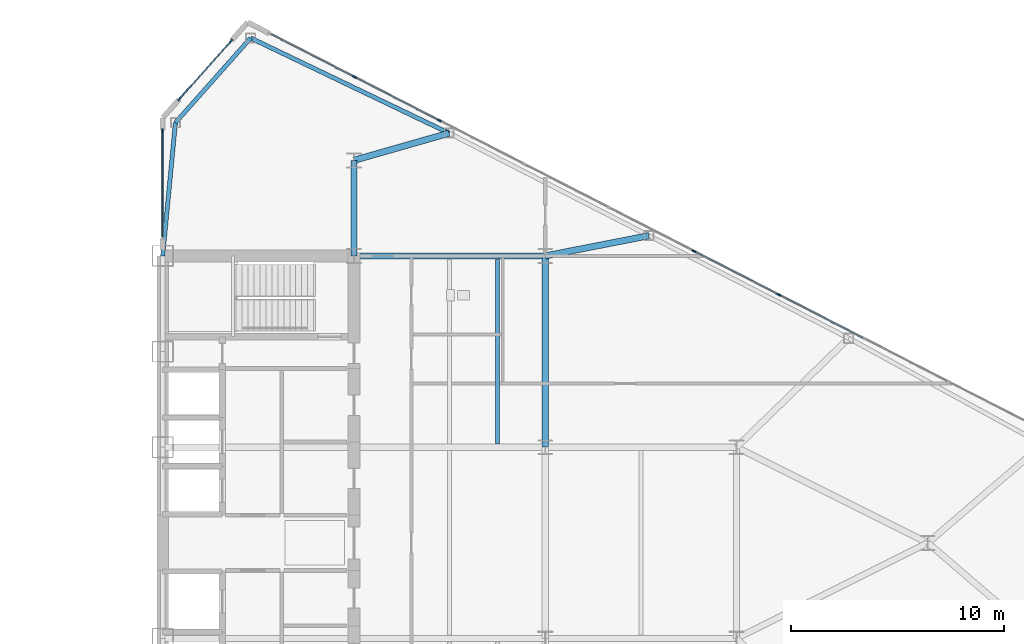
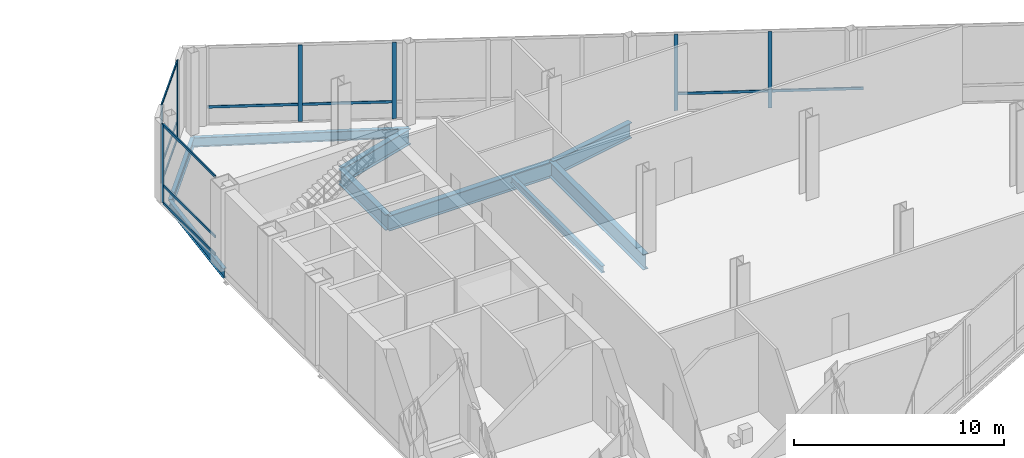
# One storey, part 11 of 22: 17 members, 9 beams, 3 elements without a shape of their own.
"""IFC4 building model written with IfcOpenShell, lengths in metres."""

from ifc_helpers import new_model, si_unit, direction, frame, origin, origin_2d, place, context, subcontext, project, spatial, rectangle, i_section, extrude, source, transform, mapped, material, layer, layer_set, material_profile, profile_set, type_object, type_shapes, element, aggregate, save


model = new_model("IFC4")

# Units and contexts
model_context = context("Model", 3, precision=1e-05, world=origin(), true_north=direction((0.0, 1.0)))
body_context = subcontext(model_context, "Body", "Model", "MODEL_VIEW")
ifc_project = project(units=[si_unit("LENGTHUNIT", "METRE"), si_unit("AREAUNIT", "SQUARE_METRE"), si_unit("VOLUMEUNIT", "CUBIC_METRE"), si_unit("PLANEANGLEUNIT", "RADIAN"), si_unit("MASSUNIT", "GRAM", prefix="KILO")], contexts=[model_context])

# Site, building, storey
site_placement = place(None, origin())
site = spatial("IfcSite", under=ifc_project, at=site_placement, CompositionType="ELEMENT")
building_placement = place(site_placement, origin())
building = spatial("IfcBuilding", under=site, at=building_placement, Name="Seokmaru Belvedere", CompositionType="ELEMENT")
storey_placement = place(building_placement, frame((0.0, 0.0, 135.60009765625)))
storey = spatial("IfcBuildingStorey", under=building, at=storey_placement, Name="L36", CompositionType="ELEMENT", Elevation=135.60009765625)

# Beams
ifc_material_1 = material(Name="Steel SM355 (355 MPa)", Category="steel")
ifc_material_profile_1 = material_profile(ifc_material_1, i_section(OverallWidth=0.300048828125, OverallDepth=0.89990234375, WebThickness=0.01611328125, FlangeThickness=0.028076171875, at=origin_2d()), Name="H-900x300x16x28")
ifc_profile_set_1 = profile_set([ifc_material_profile_1], Name="Steel SM355 (355 MPa)")
beam_type_1 = type_object("IfcBeamType", Name="Refuge Floor Girder H-900", PredefinedType="BEAM", material=ifc_profile_set_1)
shared_shape_1 = source(origin(), body_context, "Body", "SweptSolid", [
    extrude(i_section(OverallWidth=0.300048828125, OverallDepth=0.89990234375, WebThickness=0.01611328125, FlangeThickness=0.028076171875, at=origin_2d()), origin(), (0.0, 0.0, 1.0), 4.5),
])
beam_1_placement = place(storey_placement, frame((36.5, 13.5, -0.710205078125), z_axis=(0.0, 1.0, 0.0), x_axis=(-1.0, 0.0, 0.0)))
element("IfcBeam", 1, at=beam_1_placement, inside=storey, type_object=beam_type_1, Name="L36 E Core Shoulder Girder N", PredefinedType="BEAM", context=body_context, shape_type="MappedRepresentation", body=[
    mapped(shared_shape_1, transform((0.0, 0.0, 0.0), scale=1.0)),
])
shared_shape_2 = source(origin(), body_context, "Body", "SweptSolid", [
    extrude(i_section(OverallWidth=0.300048828125, OverallDepth=0.89990234375, WebThickness=0.01611328125, FlangeThickness=0.028076171875, at=origin_2d()), origin(), (0.0, 0.0, 1.0), 9.0),
])
for number, where, z_axis, x_axis, name in (
    (2, (45.5, 4.5, -0.710205078125), (0.0, 1.0, 0.0), (-1.0, 0.0, 0.0), "L36 E Interior Grid Girder 3"),
    (3, (36.5, 13.5, -0.710205078125), (1.0, 0.0, 0.0), (0.0, 1.0, 0.0), "L36 E Wing Primary Girder 4"),
):
    element("IfcBeam", number, at=place(storey_placement, frame(where, z_axis=z_axis, x_axis=x_axis)), inside=storey, type_object=beam_type_1, Name=name, PredefinedType="BEAM", context=body_context, shape_type="MappedRepresentation", body=[
        mapped(shared_shape_2, transform((0.0, 0.0, 0.0), scale=1.0)),
    ])
ifc_material_profile_2 = material_profile(ifc_material_1, i_section(OverallWidth=0.199951171875, OverallDepth=0.39990234375, WebThickness=0.008056640625, FlangeThickness=0.012939453125, at=origin_2d()), Name="H-400x200x8x13")
ifc_profile_set_2 = profile_set([ifc_material_profile_2], Name="Steel SM355 (355 MPa)")
beam_type_2 = type_object("IfcBeamType", Name="Secondary Floor Joist H-400", PredefinedType="JOIST", material=ifc_profile_set_2)
shared_shape_3 = source(origin(), body_context, "Body", "SweptSolid", [
    extrude(i_section(OverallWidth=0.199951171875, OverallDepth=0.39990234375, WebThickness=0.008056640625, FlangeThickness=0.012939453125, at=origin_2d()), origin(), (0.0, 0.0, 1.0), 8.68994140625),
])
type_shapes(beam_type_2, [shared_shape_3])
beam_2_placement = place(storey_placement, frame((43.25, 4.655029296875, -0.460205078125), z_axis=(0.0, 1.0, 0.0), x_axis=(-1.0, 0.0, 0.0)))
element("IfcBeam", 4, at=beam_2_placement, inside=storey, type_object=beam_type_2, Name="L36 E Wing Inner Secondary Joist 2", PredefinedType="JOIST", context=body_context, shape_type="MappedRepresentation", body=[
    mapped(shared_shape_3, transform((0.0, 0.0, 0.0), scale=1.0)),
])
ifc_material_profile_3 = material_profile(ifc_material_1, i_section(OverallWidth=0.199951171875, OverallDepth=0.550048828125, WebThickness=0.010009765625, FlangeThickness=0.01611328125, at=origin_2d()), Name="H-550x200x10x16")
ifc_profile_set_3 = profile_set([ifc_material_profile_3], Name="Steel SM355 (355 MPa)")
beam_type_3 = type_object("IfcBeamType", Name="Sky-Lobby Spandrel Beam H-550", PredefinedType="SPANDREL", material=ifc_profile_set_3)
shared_shape_4 = source(origin(), body_context, "Body", "SweptSolid", [
    extrude(i_section(OverallWidth=0.199951171875, OverallDepth=0.550048828125, WebThickness=0.010009765625, FlangeThickness=0.01611328125, at=origin_2d()), origin(), (0.0, 0.0, 1.0), 10.353759765625),
])
beam_3_placement = place(storey_placement, frame((31.6396484375, 23.75390625, -0.53515625), z_axis=(0.901713202822, -0.432334708134, 0.0), x_axis=(0.432334708134, 0.901713202822, 0.0)))
element("IfcBeam", 5, at=beam_3_placement, inside=storey, type_object=beam_type_3, Name="L36 E Faceted Flank Spandrel N-1", PredefinedType="SPANDREL", context=body_context, shape_type="MappedRepresentation", body=[
    mapped(shared_shape_4, transform((0.0, 0.0, 0.0), scale=1.0)),
])
shared_shape_5 = source(origin(), body_context, "Body", "SweptSolid", [
    extrude(i_section(OverallWidth=0.199951171875, OverallDepth=0.550048828125, WebThickness=0.010009765625, FlangeThickness=0.01611328125, at=origin_2d()), origin(), (0.0, 0.0, 1.0), 5.32763671875),
])
beam_4_placement = place(storey_placement, frame((31.6396484375, 23.75390625, -0.53515625), z_axis=(-0.66436952742, -0.74740426212, 0.0), x_axis=(0.74740426212, -0.66436952742, 0.0)))
element("IfcBeam", 6, at=beam_4_placement, inside=storey, type_object=beam_type_3, Name="L36 E Shoulder Chamfer Spandrel N", PredefinedType="SPANDREL", context=body_context, shape_type="MappedRepresentation", body=[
    mapped(shared_shape_5, transform((0.0, 0.0, 0.0), scale=1.0)),
])
shared_shape_6 = source(origin(), body_context, "Body", "SweptSolid", [
    extrude(i_section(OverallWidth=0.199951171875, OverallDepth=0.550048828125, WebThickness=0.010009765625, FlangeThickness=0.01611328125, at=origin_2d()), origin(), (0.0, 0.0, 1.0), 6.300537109375),
])
type_shapes(beam_type_3, [shared_shape_4, shared_shape_5, shared_shape_6])
beam_5_placement = place(storey_placement, frame((28.10009765625, 19.77197265625, -0.53515625), z_axis=(-0.095244287992, -0.995453929424, 0.0), x_axis=(0.995453929424, -0.095244287992, 0.0)))
element("IfcBeam", 7, at=beam_5_placement, inside=storey, type_object=beam_type_3, Name="L36 E Shoulder Spine Spandrel N", PredefinedType="SPANDREL", context=body_context, shape_type="MappedRepresentation", body=[
    mapped(shared_shape_6, transform((0.0, 0.0, 0.0), scale=1.0)),
])
shared_shape_7 = source(origin(), body_context, "Body", "SweptSolid", [
    extrude(i_section(OverallWidth=0.300048828125, OverallDepth=0.89990234375, WebThickness=0.01611328125, FlangeThickness=0.028076171875, at=origin_2d()), origin(), (0.0, 0.0, 1.0), 4.654541015625),
])
beam_6_placement = place(storey_placement, frame((40.975830078125, 19.277587890625, -0.710205078125), z_axis=(-0.961593192625, -0.274478654721, 0.0), x_axis=(0.274478654721, -0.961593192625, 0.0)))
element("IfcBeam", 8, at=beam_6_placement, inside=storey, type_object=beam_type_1, Name="L36 E Flank Radial Floor Girder N-1", PredefinedType="BEAM", context=body_context, shape_type="MappedRepresentation", body=[
    mapped(shared_shape_7, transform((0.0, 0.0, 0.0), scale=1.0)),
])
shared_shape_8 = source(origin(), body_context, "Body", "SweptSolid", [
    extrude(i_section(OverallWidth=0.300048828125, OverallDepth=0.89990234375, WebThickness=0.01611328125, FlangeThickness=0.028076171875, at=origin_2d()), origin(), (0.0, 0.0, 1.0), 4.969482421875),
])
type_shapes(beam_type_1, [shared_shape_1, shared_shape_2, shared_shape_7, shared_shape_8])
beam_7_placement = place(storey_placement, frame((50.377197265625, 14.453369140625, -0.710205078125), z_axis=(-0.98142544456, -0.19184393858, 0.0), x_axis=(0.19184393858, -0.98142544456, 0.0)))
element("IfcBeam", 9, at=beam_7_placement, inside=storey, type_object=beam_type_1, Name="L36 E Flank Radial Floor Girder N-2", PredefinedType="BEAM", context=body_context, shape_type="MappedRepresentation", body=[
    mapped(shared_shape_8, transform((0.0, 0.0, 0.0), scale=1.0)),
])

# Curtain wall, members
ifc_material_2 = material(Name="Bronze Triple Insulating Glass", Category="glass")
ifc_layer = layer(ifc_material_2, 0.195068359375)
ifc_layer_set = layer_set([ifc_layer], Name="Bronze Triple Insulating Glass")
curtain_wall_type = type_object("IfcCurtainWallType", Name="Sky-Lobby and Mid-Rise Curtain Wall System CW-4", PredefinedType="NOTDEFINED", material=ifc_layer_set)
curtain_wall_1_placement = place(storey_placement, origin())
curtain_wall_1 = element("IfcCurtainWall", 10, at=curtain_wall_1_placement, inside=storey, type_object=curtain_wall_type, Name="L36 Curtain Wall EF4", PredefinedType="NOTDEFINED")
ifc_material_3 = material(Name="Anodised Bronze Aluminium", Category="aluminium")
ifc_material_profile_4 = material_profile(ifc_material_3, rectangle(XDim=0.06494140625, YDim=0.14990234375, at=origin_2d()), Name="CW-T-65x150")
ifc_profile_set_4 = profile_set([ifc_material_profile_4], Name="Anodised Bronze Aluminium")
member_type_1 = type_object("IfcMemberType", Name="Bronze Unitised Transom 65x150", PredefinedType="USERDEFINED", material=ifc_profile_set_4)
shared_shape_9 = source(origin(), body_context, "Body", "SweptSolid", [
    extrude(rectangle(XDim=0.06494140625, YDim=0.14990234375, at=origin_2d()), origin(), (0.0, 0.0, 1.0), 3.580810546875),
])
member_1_placement = place(storey_placement, frame((30.689453125, 23.588134765625, 0.032470703125), z_axis=(-0.66436383883, -0.747409318684, 0.0), x_axis=(0.747409318684, -0.66436383883, 0.0)))
member_1 = element("IfcMember", 11, at=member_1_placement, type_object=member_type_1, Name="CW:L36:EF4 Continuous Transom 1", ObjectType="TRANSOM", PredefinedType="USERDEFINED", context=body_context, shape_type="MappedRepresentation", body=[
    mapped(shared_shape_9, transform((0.0, 0.0, 0.0), scale=1.0)),
])
member_2_placement = place(storey_placement, frame((30.689453125, 23.588134765625, 4.54736328125), z_axis=(-0.66436383883, -0.747409318684, 0.0), x_axis=(0.747409318684, -0.66436383883, 0.0)))
member_2 = element("IfcMember", 12, at=member_2_placement, type_object=member_type_1, Name="CW:L36:EF4 Continuous Transom 2", ObjectType="TRANSOM", PredefinedType="USERDEFINED", context=body_context, shape_type="MappedRepresentation", body=[
    mapped(shared_shape_9, transform((0.0, 0.0, 0.0), scale=1.0)),
])
member_3_placement = place(storey_placement, frame((30.689453125, 23.588134765625, 1.0498046875), z_axis=(-0.66436383883, -0.747409318684, 0.0), x_axis=(0.747409318684, -0.66436383883, 0.0)))
member_3 = element("IfcMember", 13, at=member_3_placement, type_object=member_type_1, Name="CW:L36:EF4 Spandrel Transom 1", ObjectType="TRANSOM", PredefinedType="USERDEFINED", context=body_context, shape_type="MappedRepresentation", body=[
    mapped(shared_shape_9, transform((0.0, 0.0, 0.0), scale=1.0)),
])
ifc_material_profile_5 = material_profile(ifc_material_3, rectangle(XDim=0.070068359375, YDim=0.195068359375, at=origin_2d()), Name="CW-M-70x195")
ifc_profile_set_5 = profile_set([ifc_material_profile_5], Name="Anodised Bronze Aluminium")
member_type_2 = type_object("IfcMemberType", Name="Bronze Unitised Mullion 70x195", PredefinedType="MULLION", material=ifc_profile_set_5)
shared_shape_10 = source(origin(), body_context, "Body", "SweptSolid", [
    extrude(rectangle(XDim=0.070068359375, YDim=0.195068359375, at=origin_2d()), origin(), (0.0, 0.0, 1.0), 4.579833984375),
])
member_4_placement = place(storey_placement, frame((30.712646484375, 23.6142578125, 0.0), z_axis=(0.0, 0.0, 1.0), x_axis=(0.747409774804, -0.664363325694, 0.0)))
member_4 = element("IfcMember", 14, at=member_4_placement, type_object=member_type_2, Name="CW:L36:EF4 Mullion 1", PredefinedType="MULLION", context=body_context, shape_type="MappedRepresentation", body=[
    mapped(shared_shape_10, transform((0.0, 0.0, 0.0), scale=1.0)),
])
member_5_placement = place(storey_placement, frame((28.287353515625, 20.8857421875, 0.0), z_axis=(0.0, 0.0, 1.0), x_axis=(0.747409774804, -0.664363325694, 0.0)))
member_5 = element("IfcMember", 15, at=member_5_placement, type_object=member_type_2, Name="CW:L36:EF4 Mullion 2", PredefinedType="MULLION", context=body_context, shape_type="MappedRepresentation", body=[
    mapped(shared_shape_10, transform((0.0, 0.0, 0.0), scale=1.0)),
])
aggregate(curtain_wall_1, [member_4, member_5, member_1, member_2, member_3])

curtain_wall_2_placement = place(storey_placement, origin())
curtain_wall_2 = element("IfcCurtainWall", 16, at=curtain_wall_2_placement, inside=storey, type_object=curtain_wall_type, Name="L36 Curtain Wall ESP_2", PredefinedType="NOTDEFINED")
member_6_placement = place(storey_placement, frame((27.5, 19.39501953125, 0.0), z_axis=(0.0, 0.0, 1.0), x_axis=(1.0, 0.0, 0.0)))
member_6 = element("IfcMember", 17, at=member_6_placement, type_object=member_type_2, Name="CW:L36:ESP_2 Mullion 1", PredefinedType="MULLION", context=body_context, shape_type="MappedRepresentation", body=[
    mapped(shared_shape_10, transform((0.0, 0.0, 0.0), scale=1.0)),
])
shared_shape_11 = source(origin(), body_context, "Body", "SweptSolid", [
    extrude(rectangle(XDim=0.06494140625, YDim=0.14990234375, at=origin_2d()), origin(), (0.0, 0.0, 1.0), 4.960205078125),
])
member_7_placement = place(storey_placement, frame((27.5, 19.360107421875, 0.032470703125), z_axis=(0.0, -1.0, 0.0), x_axis=(1.0, 0.0, 0.0)))
member_7 = element("IfcMember", 18, at=member_7_placement, type_object=member_type_1, Name="CW:L36:ESP_2 Continuous Transom 1", ObjectType="TRANSOM", PredefinedType="USERDEFINED", context=body_context, shape_type="MappedRepresentation", body=[
    mapped(shared_shape_11, transform((0.0, 0.0, 0.0), scale=1.0)),
])
member_8_placement = place(storey_placement, frame((27.5, 19.360107421875, 4.54736328125), z_axis=(0.0, -1.0, 0.0), x_axis=(1.0, 0.0, 0.0)))
member_8 = element("IfcMember", 19, at=member_8_placement, type_object=member_type_1, Name="CW:L36:ESP_2 Continuous Transom 2", ObjectType="TRANSOM", PredefinedType="USERDEFINED", context=body_context, shape_type="MappedRepresentation", body=[
    mapped(shared_shape_11, transform((0.0, 0.0, 0.0), scale=1.0)),
])
member_9_placement = place(storey_placement, frame((27.5, 19.360107421875, 1.0498046875), z_axis=(0.0, -1.0, 0.0), x_axis=(1.0, 0.0, 0.0)))
member_9 = element("IfcMember", 20, at=member_9_placement, type_object=member_type_1, Name="CW:L36:ESP_2 Spandrel Transom 1", ObjectType="TRANSOM", PredefinedType="USERDEFINED", context=body_context, shape_type="MappedRepresentation", body=[
    mapped(shared_shape_11, transform((0.0, 0.0, 0.0), scale=1.0)),
])
aggregate(curtain_wall_2, [member_6, member_7, member_8, member_9])

curtain_wall_3_placement = place(storey_placement, origin())
curtain_wall_3 = element("IfcCurtainWall", 21, at=curtain_wall_3_placement, inside=storey, type_object=curtain_wall_type, Name="L36 Curtain Wall EF3", PredefinedType="NOTDEFINED")
shared_shape_12 = source(origin(), body_context, "Body", "SweptSolid", [
    extrude(rectangle(XDim=0.070068359375, YDim=0.195068359375, at=origin_2d()), origin(), (0.0, 0.0, 1.0), 4.449951171875),
])
type_shapes(member_type_2, [shared_shape_10, shared_shape_12])
member_10_placement = place(storey_placement, frame((56.4921875, 11.675048828125, 0.06494140625), z_axis=(0.0, 0.0, 1.0), x_axis=(-0.456554528263, -0.889695432562, 0.0)))
member_10 = element("IfcMember", 22, at=member_10_placement, type_object=member_type_2, Name="CW:L36:EF3 Mullion 4", PredefinedType="MULLION", context=body_context, shape_type="MappedRepresentation", body=[
    mapped(shared_shape_12, transform((0.0, 0.0, 0.0), scale=1.0)),
])
member_11_placement = place(storey_placement, frame((52.497314453125, 13.72509765625, 0.06494140625), z_axis=(0.0, 0.0, 1.0), x_axis=(-0.456554528263, -0.889695432562, 0.0)))
member_11 = element("IfcMember", 23, at=member_11_placement, type_object=member_type_2, Name="CW:L36:EF3 Mullion 5", PredefinedType="MULLION", context=body_context, shape_type="MappedRepresentation", body=[
    mapped(shared_shape_12, transform((0.0, 0.0, 0.0), scale=1.0)),
])
member_12_placement = place(storey_placement, frame((40.5126953125, 19.875, 0.06494140625), z_axis=(0.0, 0.0, 1.0), x_axis=(-0.456554528263, -0.889695432562, 0.0)))
member_12 = element("IfcMember", 24, at=member_12_placement, type_object=member_type_2, Name="CW:L36:EF3 Mullion 8", PredefinedType="MULLION", context=body_context, shape_type="MappedRepresentation", body=[
    mapped(shared_shape_12, transform((0.0, 0.0, 0.0), scale=1.0)),
])
member_13_placement = place(storey_placement, frame((36.51806640625, 21.925048828125, 0.06494140625), z_axis=(0.0, 0.0, 1.0), x_axis=(-0.456554528263, -0.889695432562, 0.0)))
member_13 = element("IfcMember", 25, at=member_13_placement, type_object=member_type_2, Name="CW:L36:EF3 Mullion 9", PredefinedType="MULLION", context=body_context, shape_type="MappedRepresentation", body=[
    mapped(shared_shape_12, transform((0.0, 0.0, 0.0), scale=1.0)),
])
shared_shape_13 = source(origin(), body_context, "Body", "SweptSolid", [
    extrude(rectangle(XDim=0.06494140625, YDim=0.14990234375, at=origin_2d()), origin(), (0.0, 0.0, 1.0), 4.38525390625),
])
member_14_placement = place(storey_placement, frame((36.48681640625, 21.94091796875, 1.0498046875), z_axis=(-0.889678887593, 0.456586768282, 0.0), x_axis=(-0.456586768282, -0.889678887593, 0.0)))
member_14 = element("IfcMember", 26, at=member_14_placement, type_object=member_type_1, Name="CW:L36:EF3 Spandrel Transom 9", ObjectType="TRANSOM", PredefinedType="USERDEFINED", context=body_context, shape_type="MappedRepresentation", body=[
    mapped(shared_shape_13, transform((0.0, 0.0, 0.0), scale=1.0)),
])
shared_shape_14 = source(origin(), body_context, "Body", "SweptSolid", [
    extrude(rectangle(XDim=0.06494140625, YDim=0.14990234375, at=origin_2d()), origin(), (0.0, 0.0, 1.0), 4.420166015625),
])
type_shapes(member_type_1, [shared_shape_9, shared_shape_11, shared_shape_13, shared_shape_14])
member_15_placement = place(storey_placement, frame((60.4560546875, 9.64111328125, 1.0498046875), z_axis=(-0.889716805756, 0.456512875563, 0.0), x_axis=(-0.456512875563, -0.889716805756, 0.0)))
member_15 = element("IfcMember", 27, at=member_15_placement, type_object=member_type_1, Name="CW:L36:EF3 Spandrel Transom 3", ObjectType="TRANSOM", PredefinedType="USERDEFINED", context=body_context, shape_type="MappedRepresentation", body=[
    mapped(shared_shape_14, transform((0.0, 0.0, 0.0), scale=1.0)),
])
member_16_placement = place(storey_placement, frame((56.461181640625, 11.69091796875, 1.0498046875), z_axis=(-0.88969437082, 0.456556597293, 0.0), x_axis=(-0.456556597293, -0.88969437082, 0.0)))
member_16 = element("IfcMember", 28, at=member_16_placement, type_object=member_type_1, Name="CW:L36:EF3 Spandrel Transom 4", ObjectType="TRANSOM", PredefinedType="USERDEFINED", context=body_context, shape_type="MappedRepresentation", body=[
    mapped(shared_shape_14, transform((0.0, 0.0, 0.0), scale=1.0)),
])
member_17_placement = place(storey_placement, frame((40.481689453125, 19.89111328125, 1.0498046875), z_axis=(-0.889716805756, 0.456512875563, 0.0), x_axis=(-0.456512875563, -0.889716805756, 0.0)))
member_17 = element("IfcMember", 29, at=member_17_placement, type_object=member_type_1, Name="CW:L36:EF3 Spandrel Transom 8", ObjectType="TRANSOM", PredefinedType="USERDEFINED", context=body_context, shape_type="MappedRepresentation", body=[
    mapped(shared_shape_14, transform((0.0, 0.0, 0.0), scale=1.0)),
])
aggregate(curtain_wall_3, [member_10, member_11, member_12, member_13, member_15, member_16, member_17, member_14])

save(model, "model.ifc")
